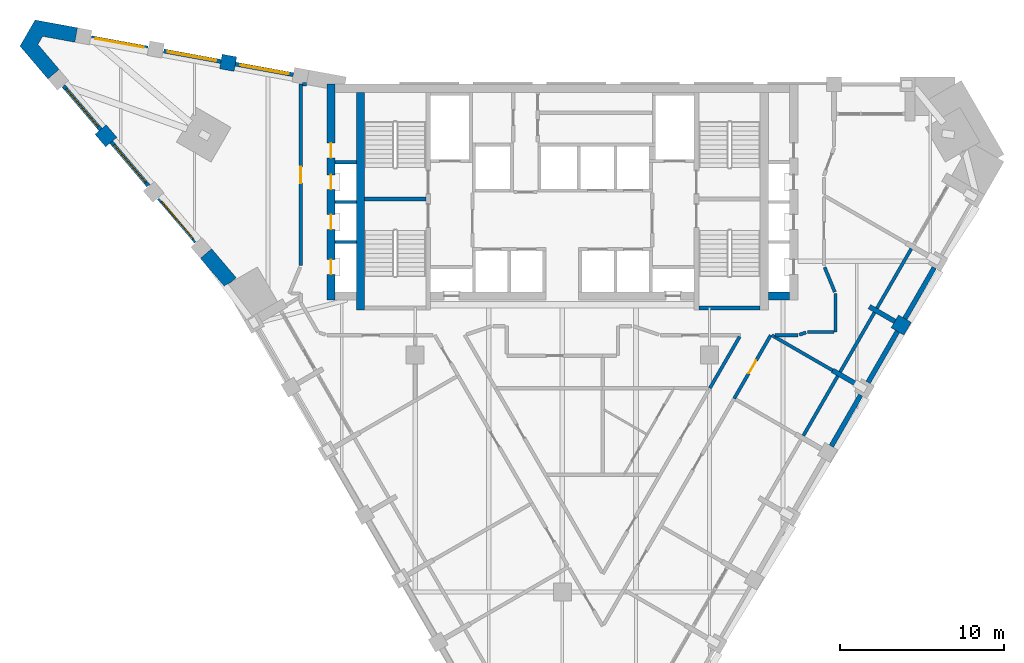
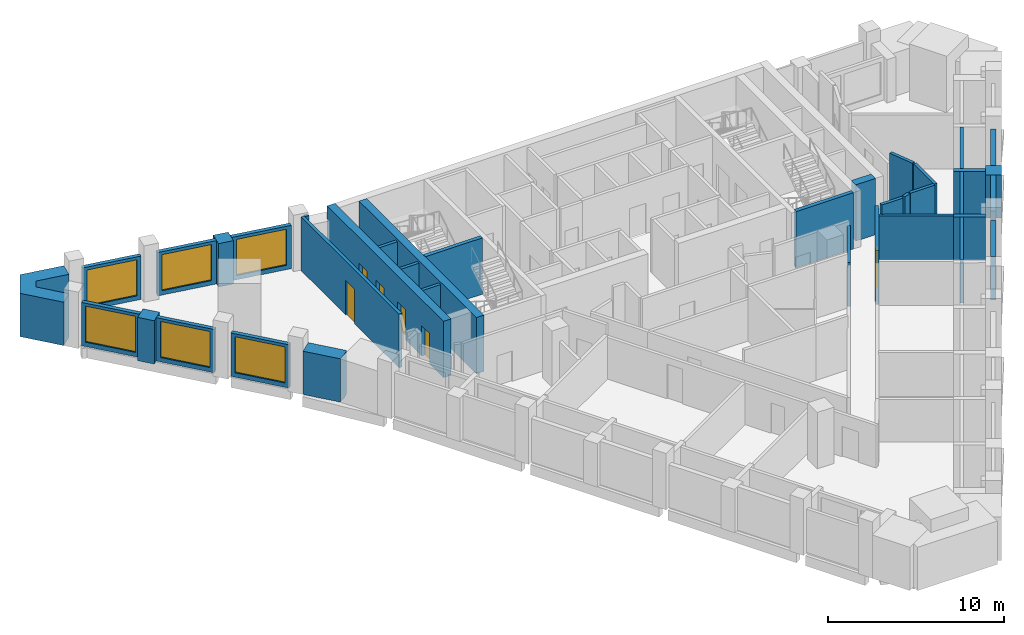
# One storey, part 5 of 9: 37 walls, 6 doors, 6 windows, 12 openings.
"""IFC4 building model written with IfcOpenShell, lengths in metres."""

from ifc_helpers import new_model, si_unit, direction, frame, frame_2d, origin, place, context, subcontext, project, spatial, polyline, rectangle, outline, extrude, material, layer, layer_set, type_object, element, fill, save


model = new_model("IFC4")

# Units and contexts
model_context = context("Model", 3, precision=1e-05, world=origin(), true_north=direction((0.0, 1.0)))
body_context = subcontext(model_context, "Body", "Model", "MODEL_VIEW")
ifc_project = project(units=[si_unit("LENGTHUNIT", "METRE"), si_unit("AREAUNIT", "SQUARE_METRE"), si_unit("VOLUMEUNIT", "CUBIC_METRE"), si_unit("PLANEANGLEUNIT", "RADIAN"), si_unit("MASSUNIT", "GRAM", prefix="KILO")], contexts=[model_context])

# Site, building, storey
site_placement = place(None, origin())
site = spatial("IfcSite", under=ifc_project, at=site_placement, CompositionType="ELEMENT")
building_placement = place(site_placement, origin())
building = spatial("IfcBuilding", under=site, at=building_placement, Name="Calabash Gate Tower", CompositionType="ELEMENT")
storey_placement = place(building_placement, frame((0.0, 0.0, 215.89990234375)))
storey = spatial("IfcBuildingStorey", under=building, at=storey_placement, Name="L51", CompositionType="ELEMENT", Elevation=215.89990234375)

# Walls
ifc_material_1 = material(Name="Terracotta brick masonry, exposed face", Category="masonry")
ifc_layer_1 = layer(ifc_material_1, 0.89990234375)
ifc_layer_set_1 = layer_set([ifc_layer_1], Name="Brick end wall 900")
wall_type_1 = type_object("IfcWallType", Name="Brick end wall 900", PredefinedType="SOLIDWALL", material=ifc_layer_set_1)
for number, where, z_axis, x_axis, name in (
    (1, (20.947509765625, 4.7119140625, 0.0), (0.0, 0.0, 1.0), (-0.50001992892, -0.866013897511, 0.0), "Brick pier S14 SE2.7"),
    (2, (-20.52099609375, 19.91796875, 0.0), (0.0, 0.0, 1.0), (0.180126650564, 0.983643426124, 0.0), "Brick pier S14 wedge5.1"),
):
    element("IfcWall", number, at=place(storey_placement, frame(where, z_axis=z_axis, x_axis=x_axis)), inside=storey, type_object=wall_type_1, Name=name, PredefinedType="SOLIDWALL", context=body_context, shape_type="SweptSolid", body=[
        extrude(rectangle(XDim=0.89990234375, YDim=0.89990234375, at=frame_2d((0.449951171875, 0.0))), origin(), (0.0, 0.0, 1.0), 3.0),
    ])
wall_1_placement = place(storey_placement, frame((-27.587890625, 15.511474609375, 0.0), z_axis=(0.0, 0.0, 1.0), x_axis=(-0.647641360564, 0.761945318305, 0.0)))
element("IfcWall", 3, at=wall_1_placement, inside=storey, type_object=wall_type_1, Name="Brick pier S14 wedge7.1", PredefinedType="SOLIDWALL", context=body_context, shape_type="SweptSolid", body=[
    extrude(rectangle(XDim=1.00390625, YDim=0.89990234375, at=frame_2d((0.501953125, 0.0))), origin(), (0.0, 0.0, 1.0), 3.0),
])
wall_2_placement = place(storey_placement, origin())
element("IfcWall", 4, at=wall_2_placement, inside=storey, type_object=wall_type_1, Name="Brick end wall S14 2", PredefinedType="SOLIDWALL", context=body_context, shape_type="SweptSolid", body=[
    extrude(outline(polyline([(-31.784423828125, 21.978759765625), (-29.816650390625, 21.618896484375), (-29.654541015625, 22.504150390625), (-32.24658203125, 22.978271484375), (-33.168701171875, 21.38134765625), (-31.4619140625, 19.373779296875), (-30.776123046875, 19.956787109375), (-32.072021484375, 21.48095703125), (-31.784423828125, 21.978759765625)])), origin(), (0.0, 0.0, 1.0), 3.0),
])
wall_3_placement = place(storey_placement, origin())
element("IfcWall", 5, at=wall_3_placement, inside=storey, type_object=wall_type_1, Name="Brick end wall S14 3", PredefinedType="SOLIDWALL", context=body_context, shape_type="SweptSolid", body=[
    extrude(outline(polyline([(-19.947998046875, 7.2197265625), (-21.44921875, 8.985595703125), (-22.135009765625, 8.402587890625), (-20.66015625, 6.667724609375), (-20.6806640625, 6.703125), (-20.291015625, 6.92822265625), (-19.947998046875, 7.2197265625)])), origin(), (0.0, 0.0, 1.0), 3.0),
])
ifc_material_2 = material(Name="Terracotta brick masonry, exposed face", Category="masonry")
ifc_layer_2 = layer(ifc_material_2, 0.300048828125)
ifc_layer_set_2 = layer_set([ifc_layer_2], Name="Brick infill panel wall 300")
wall_type_2 = type_object("IfcWallType", Name="Brick infill panel wall 300", PredefinedType="SOLIDWALL", material=ifc_layer_set_2)
wall_4_placement = place(storey_placement, frame((16.447509765625, -3.082275390625, 0.0), z_axis=(0.0, 0.0, 1.0), x_axis=(0.500012057535, 0.866018442252, 0.0)))
element("IfcWall", 6, at=wall_4_placement, inside=storey, type_object=wall_type_2, Name="Brick panel S14 SE2.6", PredefinedType="SOLIDWALL", context=body_context, shape_type="SweptSolid", body=[
    extrude(rectangle(XDim=3.60009765625, YDim=0.300048828125, at=frame_2d((1.800048828125, 0.0))), origin(), (0.0, 0.0, 1.0), 3.0),
])
wall_5_placement = place(storey_placement, frame((18.698486328125, 0.81640625, 0.0), z_axis=(0.0, 0.0, 1.0), x_axis=(0.499984792966, 0.866034183392, 0.0)))
element("IfcWall", 7, at=wall_5_placement, inside=storey, type_object=wall_type_2, Name="Brick panel S14 SE2.7", PredefinedType="SOLIDWALL", context=body_context, shape_type="SweptSolid", body=[
    extrude(rectangle(XDim=3.59814453125, YDim=0.300048828125, at=frame_2d((1.799072265625, 0.0))), origin(), (0.0, 0.0, 1.0), 3.0),
])
wall_6_placement = place(storey_placement, frame((20.947509765625, 4.7119140625, 0.0), z_axis=(0.0, 0.0, 1.0), x_axis=(0.499982693035, 0.866035395735, 0.0)))
element("IfcWall", 8, at=wall_6_placement, inside=storey, type_object=wall_type_2, Name="Brick panel S14 SE2.8", PredefinedType="SOLIDWALL", context=body_context, shape_type="SweptSolid", body=[
    extrude(rectangle(XDim=3.600341796875, YDim=0.300048828125, at=frame_2d((1.80029296875, 0.0))), origin(), (0.0, 0.0, 1.0), 3.0),
])
ifc_material_3 = material(Name="Terracotta brick masonry, exposed face", Category="masonry")
ifc_layer_3 = layer(ifc_material_3, 0.300048828125)
ifc_layer_set_3 = layer_set([ifc_layer_3], Name="Brick loggia cheek wall 300")
wall_type_3 = type_object("IfcWallType", Name="Brick loggia cheek wall 300", PredefinedType="SOLIDWALL", material=ifc_layer_set_3)
wall_7_placement = place(storey_placement, frame((16.52392578125, 1.55029296875, 0.0), z_axis=(0.0, 0.0, 1.0), x_axis=(0.866013897511, -0.50001992892, 0.0)))
element("IfcWall", 9, at=wall_7_placement, inside=storey, type_object=wall_type_3, Name="Loggia cheek S14 SE2.6", PredefinedType="SOLIDWALL", context=body_context, shape_type="SweptSolid", body=[
    extrude(rectangle(XDim=1.7998046875, YDim=0.300048828125, at=frame_2d((0.89990234375, 0.0))), origin(), (0.0, 0.0, 1.0), 3.0),
])
wall_8_placement = place(storey_placement, frame((20.332763671875, 4.54736328125, 0.0), z_axis=(0.0, 0.0, 1.0), x_axis=(-0.866047807691, 0.499961193289, 0.0)))
element("IfcWall", 10, at=wall_8_placement, inside=storey, type_object=wall_type_3, Name="Loggia cheek S14 SE2.7", PredefinedType="SOLIDWALL", context=body_context, shape_type="SweptSolid", body=[
    extrude(rectangle(XDim=1.800048828125, YDim=0.300048828125, at=frame_2d((0.89990234375, 0.0))), origin(), (0.0, 0.0, 1.0), 3.0),
])
ifc_material_4 = material(Name="Concrete C70/85", Category="concrete")
ifc_layer_4 = layer(ifc_material_4, 0.25)
ifc_layer_set_4 = layer_set([ifc_layer_4], Name="Core wall 250 Concrete C70/85")
wall_type_4 = type_object("IfcWallType", Name="Core wall 250 Concrete C70/85", PredefinedType="SHEAR", material=ifc_layer_set_4)
for number, where, z_axis, x_axis, name in (
    (11, (-12.10009765625, 12.027587890625, 0.0), (0.0, 0.0, 1.0), (1.0, 0.0, 0.0), "Core wall Z4-MIDW L51"),
    (12, (8.35009765625, 5.377685546875, 0.0), (0.0, 0.0, 1.0), (1.0, 0.0, 0.0), "Core wall Z4-SSE L51"),
):
    element("IfcWall", number, at=place(storey_placement, frame(where, z_axis=z_axis, x_axis=x_axis)), inside=storey, type_object=wall_type_4, Name=name, PredefinedType="SHEAR", context=body_context, shape_type="SweptSolid", body=[
        extrude(rectangle(XDim=3.75, YDim=0.25, at=frame_2d((1.875, 0.0))), origin(), (0.0, 0.0, 1.0), 3.900146484375),
    ])
ifc_material_5 = material(Name="Concrete C70/85", Category="concrete")
ifc_layer_5 = layer(ifc_material_5, 0.5)
ifc_layer_set_5 = layer_set([ifc_layer_5], Name="Core wall 500 Concrete C70/85")
wall_type_5 = type_object("IfcWallType", Name="Core wall 500 Concrete C70/85", PredefinedType="SHEAR", material=ifc_layer_set_5)
wall_9_placement = place(storey_placement, frame((-12.35009765625, 5.252685546875, 0.0), z_axis=(0.0, 0.0, 1.0), x_axis=(0.0, 1.0, 0.0)))
element("IfcWall", 13, at=wall_9_placement, inside=storey, type_object=wall_type_5, Name="Core wall Z4-COLW L51", PredefinedType="SHEAR", context=body_context, shape_type="SweptSolid", body=[
    extrude(rectangle(XDim=13.2998046875, YDim=0.5, at=frame_2d((6.64990234375, 0.0))), origin(), (0.0, 0.0, 1.0), 3.900146484375),
])
wall_10_placement = place(storey_placement, frame((12.60009765625, 6.1025390625, 0.0), z_axis=(0.0, 0.0, 1.0), x_axis=(1.0, 0.0, 0.0)))
element("IfcWall", 14, at=wall_10_placement, inside=storey, type_object=wall_type_5, Name="Core wall Z4-SE L51", PredefinedType="SHEAR", context=body_context, shape_type="SweptSolid", body=[
    extrude(rectangle(XDim=1.2998046875, YDim=0.5, at=frame_2d((0.64990234375, 0.0))), origin(), (0.0, 0.0, 1.0), 3.900146484375),
])

# Wall, openings, doors
wall_11_placement = place(storey_placement, frame((-14.14990234375, 5.8525390625, 0.0), z_axis=(0.0, 0.0, 1.0), x_axis=(0.0, 1.0, 0.0)))
wall_11 = element("IfcWall", 15, at=wall_11_placement, inside=storey, type_object=wall_type_5, Name="Core wall Z4-ENDW L51", PredefinedType="SHEAR", context=body_context, shape_type="SweptSolid", body=[
    extrude(rectangle(XDim=13.199951171875, YDim=0.5, at=frame_2d((6.60009765625, 0.0))), origin(), (0.0, 0.0, 1.0), 3.900146484375),
])
opening_1_placement = place(wall_11_placement, frame((1.574951171875, 0.0, 0.0)))
opening_1 = element("IfcOpeningElement", 16, at=opening_1_placement, cuts=wall_11, Name="Opening O6-005", PredefinedType="OPENING", context=body_context, shape_type="SweptSolid", body=[
    extrude(rectangle(XDim=0.89990234375, YDim=2.10009765625, at=frame_2d((0.449951171875, 1.050048828125))), frame((0.0, 0.260009765625, 0.0), z_axis=(0.0, -1.0, 0.0), x_axis=(1.0, 0.0, 0.0)), (0.0, 0.0, 1.0), 0.52001953125),
])
opening_2_placement = place(wall_11_placement, frame((4.320068359375, 0.0, 0.0)))
opening_2 = element("IfcOpeningElement", 17, at=opening_2_placement, cuts=wall_11, Name="Opening O6-006", PredefinedType="OPENING", context=body_context, shape_type="SweptSolid", body=[
    extrude(rectangle(XDim=0.89990234375, YDim=2.10009765625, at=frame_2d((0.449951171875, 1.050048828125))), frame((0.0, 0.260009765625, 0.0), z_axis=(0.0, -1.0, 0.0), x_axis=(1.0, 0.0, 0.0)), (0.0, 0.0, 1.0), 0.52001953125),
])
opening_3_placement = place(wall_11_placement, frame((6.760009765625, 0.0, 0.0)))
opening_3 = element("IfcOpeningElement", 18, at=opening_3_placement, cuts=wall_11, Name="Opening O6-007", PredefinedType="OPENING", context=body_context, shape_type="SweptSolid", body=[
    extrude(rectangle(XDim=0.89990234375, YDim=2.10009765625, at=frame_2d((0.449951171875, 1.050048828125))), frame((0.0, 0.260009765625, 0.0), z_axis=(0.0, -1.0, 0.0), x_axis=(1.0, 0.0, 0.0)), (0.0, 0.0, 1.0), 0.52001953125),
])
opening_4_placement = place(wall_11_placement, frame((8.697509765625, 0.0, 0.0)))
opening_4 = element("IfcOpeningElement", 19, at=opening_4_placement, cuts=wall_11, Name="Opening O6-008", PredefinedType="OPENING", context=body_context, shape_type="SweptSolid", body=[
    extrude(rectangle(XDim=0.89990234375, YDim=2.10009765625, at=frame_2d((0.449951171875, 1.050048828125))), frame((0.0, 0.260009765625, 0.0), z_axis=(0.0, -1.0, 0.0), x_axis=(1.0, 0.0, 0.0)), (0.0, 0.0, 1.0), 0.52001953125),
])
ifc_material_6 = material(Name="Steel fire door set with fire-resisting glazing", Category="steel")
door_type_1 = type_object("IfcDoorType", Name="Fire door D06 900x2100 FD60", OperationType="NOTDEFINED", PredefinedType="DOOR", material=ifc_material_6)
door_1_placement = place(opening_1_placement, origin())
door_1 = element("IfcDoor", 20, at=door_1_placement, inside=storey, type_object=door_type_1, Name="Duct Riser door", OperationType="SINGLE_SWING_LEFT", OverallHeight=2.10009765625, OverallWidth=0.89990234375, PredefinedType="DOOR", context=body_context, shape_type="SweptSolid", body=[
    extrude(rectangle(XDim=0.89990234375, YDim=2.10009765625, at=frame_2d((0.449951171875, 1.050048828125))), frame((0.0, 0.02490234375, 0.0), z_axis=(0.0, -1.0, 0.0), x_axis=(1.0, 0.0, 0.0)), (0.0, 0.0, 1.0), 0.050048828125),
])
fill(opening_1, door_1)
door_2_placement = place(opening_2_placement, origin())
door_2 = element("IfcDoor", 21, at=door_2_placement, inside=storey, type_object=door_type_1, Name="Electrical Riser door", OperationType="SINGLE_SWING_LEFT", OverallHeight=2.10009765625, OverallWidth=0.89990234375, PredefinedType="DOOR", context=body_context, shape_type="SweptSolid", body=[
    extrude(rectangle(XDim=0.89990234375, YDim=2.10009765625, at=frame_2d((0.449951171875, 1.050048828125))), frame((0.0, 0.02490234375, 0.0), z_axis=(0.0, -1.0, 0.0), x_axis=(1.0, 0.0, 0.0)), (0.0, 0.0, 1.0), 0.050048828125),
])
fill(opening_2, door_2)
door_3_placement = place(opening_3_placement, origin())
door_3 = element("IfcDoor", 22, at=door_3_placement, inside=storey, type_object=door_type_1, Name="Comms Riser door", OperationType="SINGLE_SWING_LEFT", OverallHeight=2.10009765625, OverallWidth=0.89990234375, PredefinedType="DOOR", context=body_context, shape_type="SweptSolid", body=[
    extrude(rectangle(XDim=0.89990234375, YDim=2.10009765625, at=frame_2d((0.449951171875, 1.050048828125))), frame((0.0, 0.02490234375, 0.0), z_axis=(0.0, -1.0, 0.0), x_axis=(1.0, 0.0, 0.0)), (0.0, 0.0, 1.0), 0.050048828125),
])
fill(opening_3, door_3)
door_4_placement = place(opening_4_placement, origin())
door_4 = element("IfcDoor", 23, at=door_4_placement, inside=storey, type_object=door_type_1, Name="Cleaner's Store door", OperationType="SINGLE_SWING_LEFT", OverallHeight=2.10009765625, OverallWidth=0.89990234375, PredefinedType="DOOR", context=body_context, shape_type="SweptSolid", body=[
    extrude(rectangle(XDim=0.89990234375, YDim=2.10009765625, at=frame_2d((0.449951171875, 1.050048828125))), frame((0.0, 0.02490234375, 0.0), z_axis=(0.0, -1.0, 0.0), x_axis=(1.0, 0.0, 0.0)), (0.0, 0.0, 1.0), 0.050048828125),
])
fill(opening_4, door_4)

# Wall
ifc_material_7 = material(Name="Gypsum board on steel studs, mineral wool", Category="steel")
ifc_layer_6 = layer(ifc_material_7, 0.199951171875)
ifc_layer_set_6 = layer_set([ifc_layer_6], Name="Partition 200 gypsum board EI 60")
wall_type_6 = type_object("IfcWallType", Name="Partition 200 gypsum board EI 60", PredefinedType="PARTITIONING", material=ifc_layer_set_6)
wall_12_placement = place(storey_placement, frame((9.025390625, 0.466064453125, 0.0), z_axis=(0.0, 0.0, 1.0), x_axis=(0.500421935149, 0.865781662327, 0.0)))
element("IfcWall", 24, at=wall_12_placement, inside=storey, type_object=wall_type_6, Name="Partition", PredefinedType="PARTITIONING", context=body_context, shape_type="SweptSolid", body=[
    extrude(rectangle(XDim=3.635009765625, YDim=0.199951171875, at=frame_2d((1.8173828125, 0.0))), origin(), (0.0, 0.0, 1.0), 3.052001953125),
])

# Wall, opening, door
wall_13_placement = place(storey_placement, frame((10.509521484375, -0.171142578125, 0.0), z_axis=(0.0, 0.0, 1.0), x_axis=(0.499676732976, 0.86621196166, 0.0)))
wall_13 = element("IfcWall", 25, at=wall_13_placement, inside=storey, type_object=wall_type_6, Name="Partition", PredefinedType="PARTITIONING", context=body_context, shape_type="SweptSolid", body=[
    extrude(rectangle(XDim=4.46875, YDim=0.199951171875, at=frame_2d((2.234375, 0.0))), origin(), (0.0, 0.0, 1.0), 3.72998046875),
])
opening_5_placement = place(wall_13_placement, frame((1.783447265625, 0.0, 0.0)))
opening_5 = element("IfcOpeningElement", 26, at=opening_5_placement, cuts=wall_13, Name="Opening 49-51-005", PredefinedType="OPENING", context=body_context, shape_type="SweptSolid", body=[
    extrude(rectangle(XDim=0.89990234375, YDim=2.10009765625, at=frame_2d((0.449951171875, 1.050048828125))), frame((0.0, 0.10986328125, 0.0), z_axis=(0.0, -1.0, 0.0), x_axis=(1.0, 0.0, 0.0)), (0.0, 0.0, 1.0), 0.219970703125),
])
ifc_material_8 = material(Name="Steel fire door set with fire-resisting glazing", Category="steel")
door_type_2 = type_object("IfcDoorType", Name="SD3 Store door 900x2100", OperationType="NOTDEFINED", PredefinedType="DOOR", material=ifc_material_8)
door_5_placement = place(opening_5_placement, origin())
door_5 = element("IfcDoor", 27, at=door_5_placement, inside=storey, type_object=door_type_2, Name="Store door", OperationType="SINGLE_SWING_RIGHT", OverallHeight=2.10009765625, OverallWidth=0.89990234375, PredefinedType="DOOR", context=body_context, shape_type="SweptSolid", body=[
    extrude(rectangle(XDim=0.89990234375, YDim=2.10009765625, at=frame_2d((0.449951171875, 1.050048828125))), frame((0.0, 0.02490234375, 0.0), z_axis=(0.0, -1.0, 0.0), x_axis=(1.0, 0.0, 0.0)), (0.0, 0.0, 1.0), 0.050048828125),
])
fill(opening_5, door_5)

# Walls
wall_14_placement = place(storey_placement, frame((12.805419921875, 3.699462890625, 0.0), z_axis=(0.0, 0.0, 1.0), x_axis=(0.86584756398, -0.500307901146, 0.0)))
element("IfcWall", 28, at=wall_14_placement, inside=storey, type_object=wall_type_6, Name="Partition", PredefinedType="PARTITIONING", context=body_context, shape_type="SweptSolid", body=[
    extrude(rectangle(XDim=4.295166015625, YDim=0.199951171875, at=frame_2d((2.1474609375, 0.0))), origin(), (0.0, 0.0, 1.0), 3.052001953125),
])
wall_15_placement = place(storey_placement, frame((13.007568359375, 3.6982421875, 0.0), z_axis=(0.0, 0.0, 1.0), x_axis=(0.999999615671, 0.000876731208, 0.0)))
element("IfcWall", 29, at=wall_15_placement, inside=storey, type_object=wall_type_6, Name="Partition", PredefinedType="PARTITIONING", context=body_context, shape_type="SweptSolid", body=[
    extrude(rectangle(XDim=1.392333984375, YDim=0.199951171875, at=frame_2d((0.6962890625, 0.0))), origin(), (0.0, 0.0, 1.0), 3.72998046875),
])
wall_16_placement = place(storey_placement, frame((14.494873046875, 3.731201171875, 0.0), z_axis=(0.0, 0.0, 1.0), x_axis=(0.948739721949, 0.316058443957, 0.0)))
element("IfcWall", 30, at=wall_16_placement, inside=storey, type_object=wall_type_6, Name="Partition", PredefinedType="PARTITIONING", context=body_context, shape_type="SweptSolid", body=[
    extrude(rectangle(XDim=0.4326171875, YDim=0.199951171875, at=frame_2d((0.21630859375, 0.0))), origin(), (0.0, 0.0, 1.0), 3.72998046875),
])
wall_17_placement = place(storey_placement, frame((15.0, 3.8994140625, 0.0), z_axis=(0.0, 0.0, 1.0), x_axis=(0.999999953468, 0.000305064049, 0.0)))
element("IfcWall", 31, at=wall_17_placement, inside=storey, type_object=wall_type_6, Name="Partition", PredefinedType="PARTITIONING", context=body_context, shape_type="SweptSolid", body=[
    extrude(rectangle(XDim=1.6005859375, YDim=0.199951171875, at=frame_2d((0.80029296875, 0.0))), origin(), (0.0, 0.0, 1.0), 3.72998046875),
])
wall_18_placement = place(storey_placement, frame((16.700439453125, 3.89990234375, 0.0), z_axis=(0.0, 0.0, 1.0), x_axis=(0.0, 1.0, 0.0)))
element("IfcWall", 32, at=wall_18_placement, inside=storey, type_object=wall_type_6, Name="Partition", PredefinedType="PARTITIONING", context=body_context, shape_type="SweptSolid", body=[
    extrude(rectangle(XDim=2.352783203125, YDim=0.199951171875, at=frame_2d((1.17626953125, 0.0))), origin(), (0.0, 0.0, 1.0), 3.72998046875),
])
wall_19_placement = place(storey_placement, frame((16.03857421875, 7.860107421875, 0.0), z_axis=(0.0, 0.0, 1.0), x_axis=(0.380749805254, -0.924678098475, 0.0)))
element("IfcWall", 33, at=wall_19_placement, inside=storey, type_object=wall_type_6, Name="Partition", PredefinedType="PARTITIONING", context=body_context, shape_type="SweptSolid", body=[
    extrude(rectangle(XDim=1.63818359375, YDim=0.199951171875, at=frame_2d((0.819091796875, 0.0))), origin(), (0.0, 0.0, 1.0), 3.72998046875),
])

# Wall, opening, door
wall_20_placement = place(storey_placement, frame((-16.00048828125, 7.95263671875, 0.0), z_axis=(0.0, 0.0, 1.0), x_axis=(0.0, 1.0, 0.0)))
wall_20 = element("IfcWall", 34, at=wall_20_placement, inside=storey, type_object=wall_type_6, Name="Partition", PredefinedType="PARTITIONING", context=body_context, shape_type="SweptSolid", body=[
    extrude(rectangle(XDim=11.099853515625, YDim=0.199951171875, at=frame_2d((5.5498046875, 0.0))), origin(), (0.0, 0.0, 1.0), 3.72998046875),
])
opening_6_placement = place(wall_20_placement, frame((5.0498046875, 0.0, 0.0)))
opening_6 = element("IfcOpeningElement", 35, at=opening_6_placement, cuts=wall_20, Name="Opening 49-51-010", PredefinedType="OPENING", context=body_context, shape_type="SweptSolid", body=[
    extrude(rectangle(XDim=1.0, YDim=2.39990234375, at=frame_2d((0.5, 1.199951171875))), frame((0.0, 0.10986328125, 0.0), z_axis=(0.0, -1.0, 0.0), x_axis=(1.0, 0.0, 0.0)), (0.0, 0.0, 1.0), 0.219970703125),
])
ifc_material_9 = material(Name="Painted timber door", Category="wood")
door_type_3 = type_object("IfcDoorType", Name="OD2 Glazed office door 1000x2400", OperationType="NOTDEFINED", PredefinedType="DOOR", material=ifc_material_9)
door_6_placement = place(opening_6_placement, origin())
door_6 = element("IfcDoor", 36, at=door_6_placement, inside=storey, type_object=door_type_3, Name="Glazed office door", OperationType="SINGLE_SWING_LEFT", OverallHeight=2.39990234375, OverallWidth=1.0, PredefinedType="DOOR", context=body_context, shape_type="SweptSolid", body=[
    extrude(rectangle(XDim=1.0, YDim=2.39990234375, at=frame_2d((0.5, 1.199951171875))), frame((0.0, 0.02490234375, 0.0), z_axis=(0.0, -1.0, 0.0), x_axis=(1.0, 0.0, 0.0)), (0.0, 0.0, 1.0), 0.050048828125),
])
fill(opening_6, door_6)

# Wall
wall_21_placement = place(storey_placement, frame((-15.900390625, 19.052490234375, 0.0), z_axis=(0.0, 0.0, 1.0), x_axis=(1.0, 0.0, 0.0)))
element("IfcWall", 37, at=wall_21_placement, inside=storey, type_object=wall_type_6, Name="Partition", PredefinedType="PARTITIONING", context=body_context, shape_type="SweptSolid", body=[
    extrude(rectangle(XDim=0.253662109375, YDim=0.199951171875, at=frame_2d((0.126953125, 0.0))), origin(), (0.0, 0.0, 1.0), 3.72998046875),
])

# Wall, opening, window
ifc_material_10 = material(Name="Aluminium framed window wall with insulated spandrel", Category="aluminium")
ifc_layer_7 = layer(ifc_material_10, 0.25)
ifc_layer_set_7 = layer_set([ifc_layer_7], Name="Prow window wall 250")
wall_type_7 = type_object("IfcWallType", Name="Prow window wall 250", PredefinedType="ELEMENTEDWALL", material=ifc_layer_set_7)
wall_22_placement = place(storey_placement, frame((-16.4560546875, 19.631591796875, 0.0), z_axis=(0.0, 0.0, 1.0), x_axis=(-0.983669647318, 0.17998340186, 0.0)))
wall_22 = element("IfcWall", 38, at=wall_22_placement, inside=storey, type_object=wall_type_7, Name="Prow window wall S14 wedge5.1", PredefinedType="ELEMENTEDWALL", context=body_context, shape_type="SweptSolid", body=[
    extrude(rectangle(XDim=3.60009765625, YDim=0.25, at=frame_2d((1.800048828125, 0.0))), origin(), (0.0, 0.0, 1.0), 3.0),
])
opening_7_placement = place(wall_22_placement, frame((0.300048828125, 0.0, 0.300048828125)))
opening_7 = element("IfcOpeningElement", 39, at=opening_7_placement, cuts=wall_22, Name="Opening WP2", PredefinedType="OPENING", context=body_context, shape_type="SweptSolid", body=[
    extrude(rectangle(XDim=3.0, YDim=2.5, at=frame_2d((1.5, 1.25))), frame((0.0, 0.135009765625, 0.0), z_axis=(0.0, -1.0, 0.0), x_axis=(1.0, 0.0, 0.0)), (0.0, 0.0, 1.0), 0.27001953125),
])
ifc_material_11 = material(Name="Anodised aluminium frame, bronze finish, impact-rated laminated clear glazing", Category="aluminium")
window_type = type_object("IfcWindowType", Name="Window WP2 3000x2500", PartitioningType="DOUBLE_PANEL_VERTICAL", PredefinedType="WINDOW", material=ifc_material_11)
window_1_placement = place(opening_7_placement, origin())
window_1 = element("IfcWindow", 40, at=window_1_placement, inside=storey, type_object=window_type, Name="Prow window WP2 S14 wedge5.1", OverallHeight=2.5, OverallWidth=3.0, PartitioningType="SINGLE_PANEL", PredefinedType="WINDOW", context=body_context, shape_type="SweptSolid", body=[
    extrude(rectangle(XDim=3.0, YDim=2.5, at=frame_2d((1.5, 1.25))), frame((0.0, 0.030029296875, 0.0), z_axis=(0.0, -1.0, 0.0), x_axis=(1.0, 0.0, 0.0)), (0.0, 0.0, 1.0), 0.06005859375),
])
fill(opening_7, window_1)

wall_23_placement = place(storey_placement, frame((-20.880615234375, 20.441162109375, 0.0), z_axis=(0.0, 0.0, 1.0), x_axis=(-0.98366583261, 0.180004249274, 0.0)))
wall_23 = element("IfcWall", 41, at=wall_23_placement, inside=storey, type_object=wall_type_7, Name="Prow window wall S14 wedge5.2", PredefinedType="ELEMENTEDWALL", context=body_context, shape_type="SweptSolid", body=[
    extrude(rectangle(XDim=3.55224609375, YDim=0.25, at=frame_2d((1.776123046875, 0.0))), origin(), (0.0, 0.0, 1.0), 3.0),
])
opening_8_placement = place(wall_23_placement, frame((0.302001953125, 0.0, 0.300048828125)))
opening_8 = element("IfcOpeningElement", 42, at=opening_8_placement, cuts=wall_23, Name="Opening WP2", PredefinedType="OPENING", context=body_context, shape_type="SweptSolid", body=[
    extrude(rectangle(XDim=3.0, YDim=2.5, at=frame_2d((1.5, 1.25))), frame((0.0, 0.135009765625, 0.0), z_axis=(0.0, -1.0, 0.0), x_axis=(1.0, 0.0, 0.0)), (0.0, 0.0, 1.0), 0.27001953125),
])
window_2_placement = place(opening_8_placement, origin())
window_2 = element("IfcWindow", 43, at=window_2_placement, inside=storey, type_object=window_type, Name="Prow window WP2 S14 wedge5.2", OverallHeight=2.5, OverallWidth=3.0, PartitioningType="SINGLE_PANEL", PredefinedType="WINDOW", context=body_context, shape_type="SweptSolid", body=[
    extrude(rectangle(XDim=3.0, YDim=2.5, at=frame_2d((1.5, 1.25))), frame((0.0, 0.030029296875, 0.0), z_axis=(0.0, -1.0, 0.0), x_axis=(1.0, 0.0, 0.0)), (0.0, 0.0, 1.0), 0.06005859375),
])
fill(opening_8, window_2)

wall_24_placement = place(storey_placement, frame((-25.3583984375, 21.260498046875, 0.0), z_axis=(0.0, 0.0, 1.0), x_axis=(-0.983672889292, 0.179965682483, 0.0)))
wall_24 = element("IfcWall", 44, at=wall_24_placement, inside=storey, type_object=wall_type_7, Name="Prow window wall S14 wedge5.3", PredefinedType="ELEMENTEDWALL", context=body_context, shape_type="SweptSolid", body=[
    extrude(rectangle(XDim=3.5, YDim=0.25, at=frame_2d((1.75, 0.0))), origin(), (0.0, 0.0, 1.0), 3.0),
])
opening_9_placement = place(wall_24_placement, frame((0.25, 0.0, 0.300048828125)))
opening_9 = element("IfcOpeningElement", 45, at=opening_9_placement, cuts=wall_24, Name="Opening WP2", PredefinedType="OPENING", context=body_context, shape_type="SweptSolid", body=[
    extrude(rectangle(XDim=3.0, YDim=2.5, at=frame_2d((1.5, 1.25))), frame((0.0, 0.135009765625, 0.0), z_axis=(0.0, -1.0, 0.0), x_axis=(1.0, 0.0, 0.0)), (0.0, 0.0, 1.0), 0.27001953125),
])
window_3_placement = place(opening_9_placement, origin())
window_3 = element("IfcWindow", 46, at=window_3_placement, inside=storey, type_object=window_type, Name="Prow window WP2 S14 wedge5.3", OverallHeight=2.5, OverallWidth=3.0, PartitioningType="SINGLE_PANEL", PredefinedType="WINDOW", context=body_context, shape_type="SweptSolid", body=[
    extrude(rectangle(XDim=3.0, YDim=2.5, at=frame_2d((1.5, 1.25))), frame((0.0, 0.030029296875, 0.0), z_axis=(0.0, -1.0, 0.0), x_axis=(1.0, 0.0, 0.0)), (0.0, 0.0, 1.0), 0.06005859375),
])
fill(opening_9, window_3)

wall_25_placement = place(storey_placement, frame((-30.503662109375, 18.94140625, 0.0), z_axis=(0.0, 0.0, 1.0), x_axis=(0.647701065937, -0.761894565661, 0.0)))
wall_25 = element("IfcWall", 47, at=wall_25_placement, inside=storey, type_object=wall_type_7, Name="Prow window wall S14 wedge7.1", PredefinedType="ELEMENTEDWALL", context=body_context, shape_type="SweptSolid", body=[
    extrude(rectangle(XDim=3.499755859375, YDim=0.25, at=frame_2d((1.75, 0.0))), origin(), (0.0, 0.0, 1.0), 3.0),
])
opening_10_placement = place(wall_25_placement, frame((0.25, 0.0, 0.300048828125)))
opening_10 = element("IfcOpeningElement", 48, at=opening_10_placement, cuts=wall_25, Name="Opening WP2", PredefinedType="OPENING", context=body_context, shape_type="SweptSolid", body=[
    extrude(rectangle(XDim=3.0, YDim=2.5, at=frame_2d((1.5, 1.25))), frame((0.0, 0.135009765625, 0.0), z_axis=(0.0, -1.0, 0.0), x_axis=(1.0, 0.0, 0.0)), (0.0, 0.0, 1.0), 0.27001953125),
])
window_4_placement = place(opening_10_placement, origin())
window_4 = element("IfcWindow", 49, at=window_4_placement, inside=storey, type_object=window_type, Name="Prow window WP2 S14 wedge7.1", OverallHeight=2.5, OverallWidth=3.0, PartitioningType="SINGLE_PANEL", PredefinedType="WINDOW", context=body_context, shape_type="SweptSolid", body=[
    extrude(rectangle(XDim=3.0, YDim=2.5, at=frame_2d((1.5, 1.25))), frame((0.0, 0.030029296875, 0.0), z_axis=(0.0, -1.0, 0.0), x_axis=(1.0, 0.0, 0.0)), (0.0, 0.0, 1.0), 0.06005859375),
])
fill(opening_10, window_4)

wall_26_placement = place(storey_placement, frame((-27.589111328125, 15.512939453125, 0.0), z_axis=(0.0, 0.0, 1.0), x_axis=(0.647741556426, -0.761860142073, 0.0)))
wall_26 = element("IfcWall", 50, at=wall_26_placement, inside=storey, type_object=wall_type_7, Name="Prow window wall S14 wedge7.2", PredefinedType="ELEMENTEDWALL", context=body_context, shape_type="SweptSolid", body=[
    extrude(rectangle(XDim=3.5, YDim=0.25, at=frame_2d((1.75, 0.0))), origin(), (0.0, 0.0, 1.0), 3.0),
])
opening_11_placement = place(wall_26_placement, frame((0.25, 0.0, 0.300048828125)))
opening_11 = element("IfcOpeningElement", 51, at=opening_11_placement, cuts=wall_26, Name="Opening WP2", PredefinedType="OPENING", context=body_context, shape_type="SweptSolid", body=[
    extrude(rectangle(XDim=3.0, YDim=2.5, at=frame_2d((1.5, 1.25))), frame((0.0, 0.135009765625, 0.0), z_axis=(0.0, -1.0, 0.0), x_axis=(1.0, 0.0, 0.0)), (0.0, 0.0, 1.0), 0.27001953125),
])
window_5_placement = place(opening_11_placement, origin())
window_5 = element("IfcWindow", 52, at=window_5_placement, inside=storey, type_object=window_type, Name="Prow window WP2 S14 wedge7.2", OverallHeight=2.5, OverallWidth=3.0, PartitioningType="SINGLE_PANEL", PredefinedType="WINDOW", context=body_context, shape_type="SweptSolid", body=[
    extrude(rectangle(XDim=3.0, YDim=2.5, at=frame_2d((1.5, 1.25))), frame((0.0, 0.030029296875, 0.0), z_axis=(0.0, -1.0, 0.0), x_axis=(1.0, 0.0, 0.0)), (0.0, 0.0, 1.0), 0.06005859375),
])
fill(opening_11, window_5)

wall_27_placement = place(storey_placement, frame((-24.67431640625, 12.08447265625, 0.0), z_axis=(0.0, 0.0, 1.0), x_axis=(0.647701065937, -0.761894565661, 0.0)))
wall_27 = element("IfcWall", 53, at=wall_27_placement, inside=storey, type_object=wall_type_7, Name="Prow window wall S14 wedge7.3", PredefinedType="ELEMENTEDWALL", context=body_context, shape_type="SweptSolid", body=[
    extrude(rectangle(XDim=3.499755859375, YDim=0.25, at=frame_2d((1.75, 0.0))), origin(), (0.0, 0.0, 1.0), 3.0),
])
opening_12_placement = place(wall_27_placement, frame((0.25, 0.0, 0.300048828125)))
opening_12 = element("IfcOpeningElement", 54, at=opening_12_placement, cuts=wall_27, Name="Opening WP2", PredefinedType="OPENING", context=body_context, shape_type="SweptSolid", body=[
    extrude(rectangle(XDim=3.0, YDim=2.5, at=frame_2d((1.5, 1.25))), frame((0.0, 0.135009765625, 0.0), z_axis=(0.0, -1.0, 0.0), x_axis=(1.0, 0.0, 0.0)), (0.0, 0.0, 1.0), 0.27001953125),
])
window_6_placement = place(opening_12_placement, origin())
window_6 = element("IfcWindow", 55, at=window_6_placement, inside=storey, type_object=window_type, Name="Prow window WP2 S14 wedge7.3", OverallHeight=2.5, OverallWidth=3.0, PartitioningType="SINGLE_PANEL", PredefinedType="WINDOW", context=body_context, shape_type="SweptSolid", body=[
    extrude(rectangle(XDim=3.0, YDim=2.5, at=frame_2d((1.5, 1.25))), frame((0.0, 0.030029296875, 0.0), z_axis=(0.0, -1.0, 0.0), x_axis=(1.0, 0.0, 0.0)), (0.0, 0.0, 1.0), 0.06005859375),
])
fill(opening_12, window_6)

# Walls
ifc_material_12 = material(Name="Concrete C40/50", Category="concrete")
ifc_layer_8 = layer(ifc_material_12, 0.199951171875)
ifc_layer_set_8 = layer_set([ifc_layer_8], Name="Shaft wall 200 Concrete C40/50")
wall_type_8 = type_object("IfcWallType", Name="Shaft wall 200 Concrete C40/50", PredefinedType="SOLIDWALL", material=ifc_layer_set_8)
for number, where, z_axis, x_axis, name in (
    (56, (-13.89990234375, 9.402587890625, 0.0), (0.0, 0.0, 1.0), (1.0, 0.0, 0.0), "Shaft wall"),
    (57, (-13.89990234375, 11.842529296875, 0.0), (0.0, 0.0, 1.0), (1.0, 0.0, 0.0), "Shaft wall"),
    (58, (-13.89990234375, 14.28271484375, 0.0), (0.0, 0.0, 1.0), (1.0, 0.0, 0.0), "Shaft wall"),
):
    element("IfcWall", number, at=place(storey_placement, frame(where, z_axis=z_axis, x_axis=x_axis)), inside=storey, type_object=wall_type_8, Name=name, PredefinedType="SOLIDWALL", context=body_context, shape_type="SweptSolid", body=[
        extrude(rectangle(XDim=1.2998046875, YDim=0.199951171875, at=frame_2d((0.64990234375, 0.0))), origin(), (0.0, 0.0, 1.0), 3.72998046875),
    ])
ifc_material_13 = material(Name="Aluminium framed window wall with insulated spandrel", Category="aluminium")
ifc_layer_9 = layer(ifc_material_13, 0.199951171875)
ifc_layer_set_9 = layer_set([ifc_layer_9], Name="Window wall 200")
wall_type_9 = type_object("IfcWallType", Name="Window wall 200", PredefinedType="ELEMENTEDWALL", material=ifc_layer_set_9)
wall_28_placement = place(storey_placement, frame((14.73876953125, -2.44189453125, 0.0), z_axis=(0.0, 0.0, 1.0), x_axis=(0.500027713859, 0.866009402589, 0.0)))
element("IfcWall", 59, at=wall_28_placement, inside=storey, type_object=wall_type_9, Name="Window wall S14 SE2.6", PredefinedType="ELEMENTEDWALL", context=body_context, shape_type="SweptSolid", body=[
    extrude(rectangle(XDim=4.199951171875, YDim=0.199951171875, at=frame_2d((2.10009765625, 0.0))), origin(), (0.0, 0.0, 1.0), 3.0),
])
wall_29_placement = place(storey_placement, frame((16.98876953125, 1.455078125, 0.0), z_axis=(0.0, 0.0, 1.0), x_axis=(0.500002543286, 0.866023935413, 0.0)))
element("IfcWall", 60, at=wall_29_placement, inside=storey, type_object=wall_type_9, Name="Window wall S14 SE2.7", PredefinedType="ELEMENTEDWALL", context=body_context, shape_type="SweptSolid", body=[
    extrude(rectangle(XDim=4.2001953125, YDim=0.199951171875, at=frame_2d((2.10009765625, 0.0))), origin(), (0.0, 0.0, 1.0), 3.0),
])
wall_30_placement = place(storey_placement, frame((19.23876953125, 5.352294921875, 0.0), z_axis=(0.0, 0.0, 1.0), x_axis=(0.500027713859, 0.866009402589, 0.0)))
element("IfcWall", 61, at=wall_30_placement, inside=storey, type_object=wall_type_9, Name="Window wall S14 SE2.8", PredefinedType="ELEMENTEDWALL", context=body_context, shape_type="SweptSolid", body=[
    extrude(rectangle(XDim=4.199951171875, YDim=0.199951171875, at=frame_2d((2.10009765625, 0.0))), origin(), (0.0, 0.0, 1.0), 2.9501953125),
])

save(model, "model.ifc")
